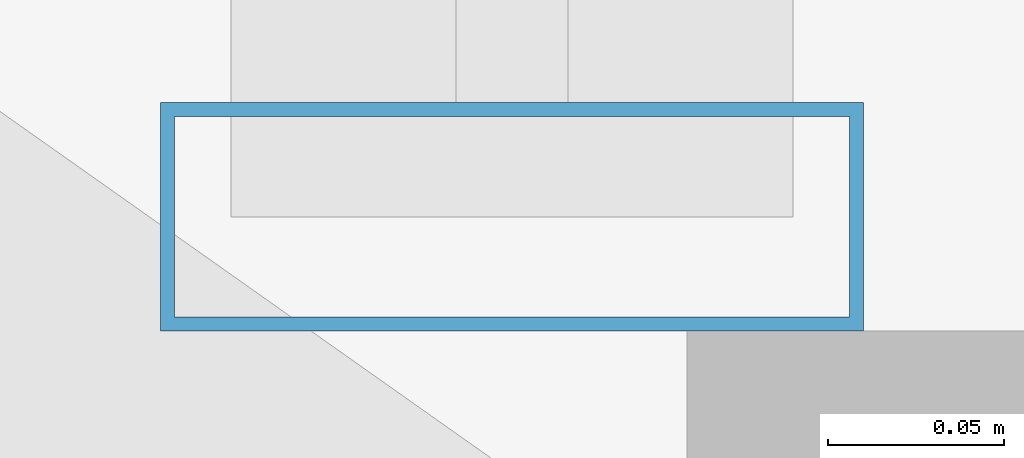
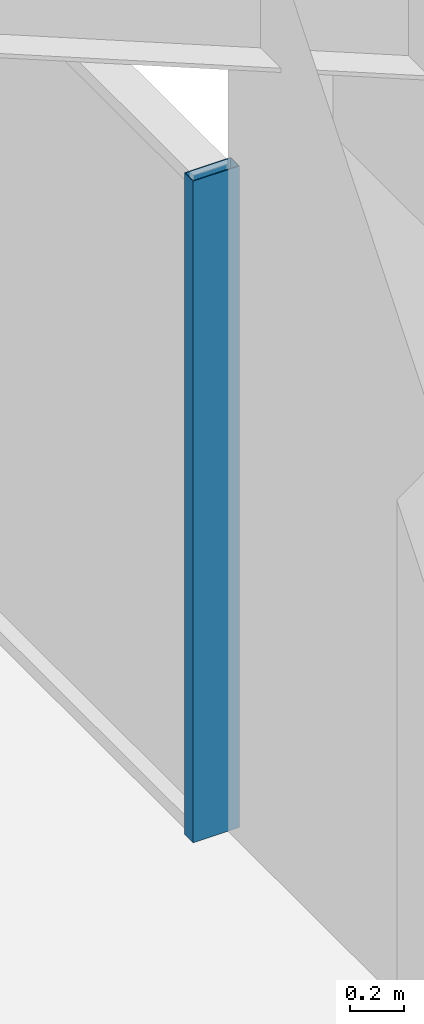
# One storey, part 8 of 22: 1 member, 1 element without a shape of its own.
"""IFC4 building model written with IfcOpenShell, lengths in metres."""

import ifcopenshell
import ifcopenshell.guid

model = None  # the IFC model being written
_history = None  # IfcOwnerHistory: only IFC2X3 demands one
_inside = {}  # id of a spatial element -> (the spatial element, [elements in it])
_under = {}  # id of a project, library or spatial element -> (it, [spatial elements below it])
_declared = {}  # id of a project -> (the project, [libraries it declares])
_typed = {}  # id of a type object -> (the type object, [elements of that type])
_made_of = {}  # id of a material, layer set ... -> (it, [elements and type objects made of it])


def new_model(schema):
    """Start an empty IFC model of exactly this schema.

    Asked for "IFC4X3", IfcOpenShell would pick the latest addendum, in which some entities
    have other attributes; the version numbers below select the first issue.
    IFC2X3 requires an IfcOwnerHistory on every rooted entity: one is made here for all.
    """
    global model, _history
    if schema == "IFC4X3":
        model = ifcopenshell.file(schema_version=(4, 3, 0, 0))
    else:
        model = ifcopenshell.file(schema=schema)
    _inside.clear()
    _under.clear()
    _declared.clear()
    _typed.clear()
    _made_of.clear()
    _history = None
    if model.schema == "IFC2X3":
        org = make("IfcOrganization", Name="unknown")
        user = make(
            "IfcPersonAndOrganization",
            ThePerson=make("IfcPerson", FamilyName="unknown"),
            TheOrganization=org,
        )
        app = make(
            "IfcApplication",
            ApplicationDeveloper=org,
            Version="unknown",
            ApplicationFullName="unknown",
            ApplicationIdentifier="unknown",
        )
        _history = make(
            "IfcOwnerHistory",
            OwningUser=user,
            OwningApplication=app,
            ChangeAction="ADDED",
            CreationDate=0,
        )
    return model


def make(cls, **values):
    """One entity of the class cls with the attributes given. An attribute that is None is left unset."""
    return model.create_entity(
        cls, **{name: value for name, value in values.items() if value is not None}
    )


def rooted(cls, **values):
    """An entity with a GlobalId (a new one), such as an element, a storey or a relation."""
    return make(cls, GlobalId=ifcopenshell.guid.new(), OwnerHistory=_history, **values)


def si_unit(unit_type, name, prefix=None):
    """IfcSIUnit, for example si_unit("LENGTHUNIT", "METRE", prefix="MILLI")."""
    return make("IfcSIUnit", UnitType=unit_type, Prefix=prefix, Name=name)


def assignment(units):
    """IfcUnitAssignment: the units of a project."""
    return None if units is None else make("IfcUnitAssignment", Units=units)


def point(xyz):
    """IfcCartesianPoint."""
    return None if xyz is None else make("IfcCartesianPoint", Coordinates=xyz)


def direction(xyz):
    """IfcDirection."""
    return None if xyz is None else make("IfcDirection", DirectionRatios=xyz)


def frame(location, z_axis=None, x_axis=None):
    """IfcAxis2Placement3D, a coordinate frame: its origin and axes. An axis left out is left unset."""
    return make(
        "IfcAxis2Placement3D",
        Location=point(location),
        Axis=direction(z_axis),
        RefDirection=direction(x_axis),
    )


def frame_2d(location, x_axis=None):
    """IfcAxis2Placement2D, a coordinate frame in the plane: its origin and x axis."""
    return make(
        "IfcAxis2Placement2D", Location=point(location), RefDirection=direction(x_axis)
    )


def origin():
    """The frame at (0, 0, 0) with its axes left unset."""
    return frame((0.0, 0.0, 0.0))


def origin_2d():
    """The frame at (0, 0) in the plane with its x axis left unset."""
    return frame_2d((0.0, 0.0))


def place(relative_to, where):
    """IfcLocalPlacement: puts the frame where relative to a parent placement (None: the world)."""
    return make(
        "IfcLocalPlacement", PlacementRelTo=relative_to, RelativePlacement=where
    )


def context(
    kind, dimensions, precision=None, world=None, true_north=None, identifier=None
):
    """IfcGeometricRepresentationContext, for example the 3D "Model" context."""
    return make(
        "IfcGeometricRepresentationContext",
        ContextIdentifier=identifier,
        ContextType=kind,
        CoordinateSpaceDimension=dimensions,
        Precision=precision,
        WorldCoordinateSystem=world,
        TrueNorth=true_north,
    )


def subcontext(parent, identifier, kind, view, scale=None):
    """IfcGeometricRepresentationSubContext, for example "Body" below "Model"."""
    return make(
        "IfcGeometricRepresentationSubContext",
        ContextIdentifier=identifier,
        ContextType=kind,
        ParentContext=parent,
        TargetScale=scale,
        TargetView=view,
    )


def project(units=None, contexts=None):
    """IfcProject with its units and contexts."""
    return rooted(
        "IfcProject",
        Name="project",
        RepresentationContexts=contexts,
        UnitsInContext=assignment(units),
    )


def spatial(cls, under=None, at=None, **own):
    """A site, building, storey or space (cls), placed at a placement, below another one or the project."""
    s = rooted(cls, ObjectPlacement=at, **own)
    if under is not None:
        _under.setdefault(under.id(), (under, []))[1].append(s)
    return s


def profile(cls, at=None, kind="AREA", **sizes):
    """A parametric profile (cls). Its sizes go by their IFC names, for example OverallWidth=200.0."""
    return make(cls, ProfileType=kind, Position=at, **sizes)


def hollow_rectangle(**sizes):
    """IfcRectangleHollowProfileDef."""
    return profile("IfcRectangleHollowProfileDef", **sizes)


def extrude(swept, where, along, depth):
    """IfcExtrudedAreaSolid: the profile swept, set in the frame where, extruded along a direction by depth."""
    return make(
        "IfcExtrudedAreaSolid",
        SweptArea=swept,
        Position=where,
        ExtrudedDirection=direction(along),
        Depth=depth,
    )


def shape(context_of_items, identifier, shape_type, items):
    """IfcShapeRepresentation: the items that make up one representation, for example the "Body"."""
    return make(
        "IfcShapeRepresentation",
        ContextOfItems=context_of_items,
        RepresentationIdentifier=identifier,
        RepresentationType=shape_type,
        Items=items,
    )


def source(mapping_origin, context_of_items, identifier, shape_type, items):
    """IfcRepresentationMap: a shape defined once, which mapped items show again and again."""
    return make(
        "IfcRepresentationMap",
        MappingOrigin=mapping_origin,
        MappedRepresentation=shape(context_of_items, identifier, shape_type, items),
    )


def transform(
    local_origin,
    x_axis=None,
    y_axis=None,
    z_axis=None,
    scale=None,
    scale2=None,
    scale3=None,
    uniform=True,
):
    """IfcCartesianTransformationOperator3D, or its non-uniform kind. x_axis, y_axis, z_axis: its Axis1, 2, 3."""
    if uniform:
        return make(
            "IfcCartesianTransformationOperator3D",
            Axis1=direction(x_axis),
            Axis2=direction(y_axis),
            LocalOrigin=point(local_origin),
            Scale=scale,
            Axis3=direction(z_axis),
        )
    return make(
        "IfcCartesianTransformationOperator3DnonUniform",
        Axis1=direction(x_axis),
        Axis2=direction(y_axis),
        LocalOrigin=point(local_origin),
        Scale=scale,
        Axis3=direction(z_axis),
        Scale2=scale2,
        Scale3=scale3,
    )


def mapped(mapping_source, mapping_target):
    """IfcMappedItem: shows the shape of a source again, moved by a transform."""
    return make(
        "IfcMappedItem", MappingSource=mapping_source, MappingTarget=mapping_target
    )


def material(Name=None, Category=None):
    """IfcMaterial."""
    return make("IfcMaterial", Name=Name, Category=Category)


def layer(
    of_material, thickness, ventilated=None, Name=None, Category=None, Priority=None
):
    """IfcMaterialLayer: one layer of a wall or slab, of a material (None: an air gap)."""
    return make(
        "IfcMaterialLayer",
        Material=of_material,
        LayerThickness=thickness,
        IsVentilated=ventilated,
        Name=Name,
        Category=Category,
        Priority=Priority,
    )


def layer_set(layers, Name=None):
    """IfcMaterialLayerSet."""
    return make("IfcMaterialLayerSet", MaterialLayers=layers, LayerSetName=Name)


def material_profile(
    of_material, cross_section, Name=None, Category=None, Priority=None
):
    """IfcMaterialProfile: a cross section and its material."""
    return make(
        "IfcMaterialProfile",
        Name=Name,
        Material=of_material,
        Profile=cross_section,
        Priority=Priority,
        Category=Category,
    )


def profile_set(profiles, Name=None, composite=None):
    """IfcMaterialProfileSet."""
    return make(
        "IfcMaterialProfileSet",
        Name=Name,
        MaterialProfiles=profiles,
        CompositeProfile=composite,
    )


def made_of(thing, what):
    """Note that an element or type object is made of a material, layer set ...; save() writes the relation."""
    if what is not None:
        _made_of.setdefault(what.id(), (what, []))[1].append(thing)
    return thing


def type_object(cls, material=None, **own):
    """A type object (cls), such as IfcWallType, which elements share."""
    return made_of(rooted(cls, **own), material)


def element(
    cls,
    number,
    at=None,
    inside=None,
    cuts=None,
    type_object=None,
    material=None,
    context=None,
    identifier="Body",
    shape_type=None,
    held_by="IfcProductDefinitionShape",
    body=None,
    shapes=None,
    **own,
):
    """One element of the class cls, such as IfcWall. Its Tag is "e" and its number.

    at: its placement. inside: the storey or other place that contains it. cuts: it is an
    opening in that element (IfcRelVoidsElement). A single representation is given by context,
    identifier, shape_type and body (its items); several are given by shapes. held_by: the class
    of the entity that holds the representations. save() writes the other relations.
    """
    e = rooted(cls, Tag="e%d" % number, ObjectPlacement=at, **own)
    if body is not None:
        shapes = [shape(context, identifier, shape_type, body)]
    if shapes is not None:
        e.Representation = make(held_by, Representations=shapes)
    if inside is not None:
        _inside.setdefault(inside.id(), (inside, []))[1].append(e)
    if cuts is not None:
        rooted(
            "IfcRelVoidsElement", RelatingBuildingElement=cuts, RelatedOpeningElement=e
        )
    if type_object is not None:
        _typed.setdefault(type_object.id(), (type_object, []))[1].append(e)
    return made_of(e, material)


def aggregate(whole, parts):
    """IfcRelAggregates: a whole, such as a stair, and the parts it consists of."""
    return rooted("IfcRelAggregates", RelatingObject=whole, RelatedObjects=parts)


def save(model, path):
    """Write the relations noted so far, then the file.

    IfcRelAggregates (storeys below a building ...), IfcRelContainedInSpatialStructure (elements
    in a storey), IfcRelDefinesByType, IfcRelAssociatesMaterial and IfcRelDeclares: one each for
    every whole, place, type object, material and project.
    """
    for whole, parts in _under.values():
        aggregate(whole, parts)
    for where, things in _inside.values():
        rooted(
            "IfcRelContainedInSpatialStructure",
            RelatedElements=things,
            RelatingStructure=where,
        )
    for kind, things in _typed.values():
        rooted("IfcRelDefinesByType", RelatedObjects=things, RelatingType=kind)
    for what, things in _made_of.values():
        rooted("IfcRelAssociatesMaterial", RelatedObjects=things, RelatingMaterial=what)
    for by, libraries in _declared.values():
        rooted("IfcRelDeclares", RelatingContext=by, RelatedDefinitions=libraries)
    model.write(path)


model = new_model("IFC4")

# Units and contexts
model_context = context("Model", 3, precision=1e-05, world=origin(), true_north=direction((0.0, 1.0)))
body_context = subcontext(model_context, "Body", "Model", "MODEL_VIEW")
ifc_project = project(units=[si_unit("LENGTHUNIT", "METRE"), si_unit("AREAUNIT", "SQUARE_METRE"), si_unit("VOLUMEUNIT", "CUBIC_METRE"), si_unit("PLANEANGLEUNIT", "RADIAN"), si_unit("MASSUNIT", "GRAM", prefix="KILO")], contexts=[model_context])

# Site, building, storey
site_placement = place(None, origin())
site = spatial("IfcSite", under=ifc_project, at=site_placement, CompositionType="ELEMENT")
building_placement = place(site_placement, origin())
building = spatial("IfcBuilding", under=site, at=building_placement, Name="Veraguas Prism Commons", CompositionType="ELEMENT")
storey_placement = place(building_placement, frame((0.0, 0.0, 5.199951171875)))
storey = spatial("IfcBuildingStorey", under=building, at=storey_placement, Name="L01", CompositionType="ELEMENT", Elevation=5.199951171875)

# Curtain wall, member
ifc_material = material(Name="Anodised aluminium EN AW-6063 T6", Category="aluminium")
ifc_layer = layer(ifc_material, 0.199951171875, Name="Metro Concourse Structural Glazing", Category="aluminium")
ifc_layer_set = layer_set([ifc_layer], Name="Anodised aluminium EN AW-6063 T6")
curtain_wall_type = type_object("IfcCurtainWallType", Name="Metro Concourse Structural Glazing", PredefinedType="NOTDEFINED", material=ifc_layer_set)
curtain_wall_placement = place(storey_placement, origin())
curtain_wall = element("IfcCurtainWall", 1, at=curtain_wall_placement, inside=storey, type_object=curtain_wall_type, Name="Plaza Concourse Curtain Wall L01-E02", PredefinedType="NOTDEFINED")
ifc_material_profile = material_profile(ifc_material, hollow_rectangle(XDim=0.06494140625, YDim=0.199951171875, WallThickness=0.00390625, at=origin_2d()), Name="AL65X200X4")
ifc_profile_set = profile_set([ifc_material_profile], Name="Anodised aluminium EN AW-6063 T6")
member_type = type_object("IfcMemberType", Name="Curtain Wall Mullion Heavy AL 65x200x4", PredefinedType="MULLION", material=ifc_profile_set)
shared_shape = source(origin(), body_context, "Body", "SweptSolid", [
    extrude(hollow_rectangle(XDim=0.06494140625, YDim=0.199951171875, WallThickness=0.00390625, at=origin_2d()), origin(), (0.0, 0.0, 1.0), 3.0),
])
member_placement = place(storey_placement, frame((45.85009765625, 15.83251953125, 0.0), z_axis=(0.0, 0.0, 1.0), x_axis=(0.0, 1.0, 0.0)))
member = element("IfcMember", 2, at=member_placement, type_object=member_type, Name="CW-STN Mullion 1", PredefinedType="MULLION", context=body_context, shape_type="MappedRepresentation", body=[
    mapped(shared_shape, transform((0.0, 0.0, 0.0), scale=1.0)),
])
aggregate(curtain_wall, [member])

save(model, "model.ifc")
